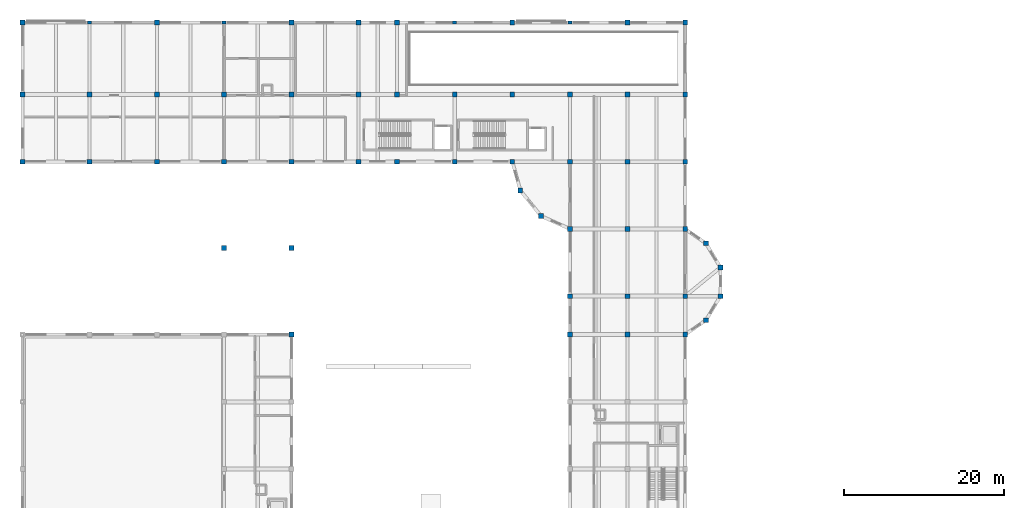
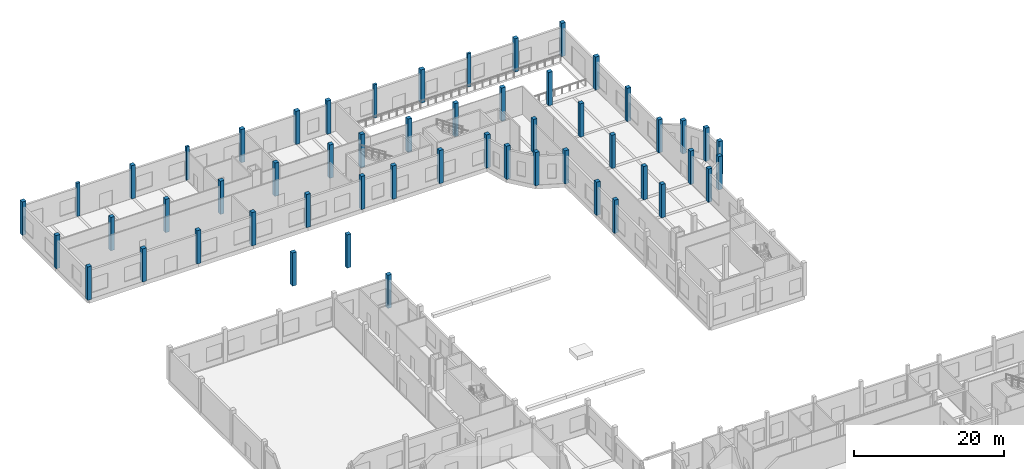
# One storey, part 6 of 41: 54 columns.
"""IFC4 building model written with IfcOpenShell, lengths in metres."""

from ifc_helpers import new_model, si_unit, direction, frame, origin, origin_2d, place, context, subcontext, project, spatial, rectangle, extrude, material, material_profile, profile_set, type_object, element, save


model = new_model("IFC4")

# Units and contexts
model_context = context("Model", 3, precision=1e-05, world=origin(), true_north=direction((0.0, 1.0)))
body_context = subcontext(model_context, "Body", "Model", "MODEL_VIEW")
ifc_project = project(units=[si_unit("LENGTHUNIT", "METRE"), si_unit("AREAUNIT", "SQUARE_METRE"), si_unit("VOLUMEUNIT", "CUBIC_METRE"), si_unit("PLANEANGLEUNIT", "RADIAN"), si_unit("MASSUNIT", "GRAM", prefix="KILO")], contexts=[model_context])

# Site, building, storey
site_placement = place(None, origin())
site = spatial("IfcSite", under=ifc_project, at=site_placement, CompositionType="ELEMENT")
building_placement = place(site_placement, origin())
building = spatial("IfcBuilding", under=site, at=building_placement, Name="Kahlenmark Community Centre", CompositionType="ELEMENT")
storey_placement = place(building_placement, origin())
storey = spatial("IfcBuildingStorey", under=building, at=storey_placement, Name="L00", CompositionType="ELEMENT", Elevation=0.0)

# Columns
ifc_material = material(Name="Concrete C35/45", Category="concrete")
ifc_material_profile_1 = material_profile(ifc_material, rectangle(XDim=0.5, YDim=0.35009765625, at=origin_2d()), Name="RC 500x350")
ifc_profile_set_1 = profile_set([ifc_material_profile_1], Name="Concrete C35/45")
column_type_1 = type_object("IfcColumnType", Name="CT-PIL500", PredefinedType="PILASTER", material=ifc_profile_set_1)
for number, where, z_axis, x_axis, name in (
    (1, (12.39990234375, 115.0, 0.0), (0.0, 0.0, 1.0), (1.0, 0.0, 0.0), "L00 pilaster (12.4, 115.0)"),
    (2, (29.199951171875, 115.0, 0.0), (0.0, 0.0, 1.0), (1.0, 0.0, 0.0), "L00 pilaster (29.2, 115.0)"),
    (3, (58.0, 115.0, 0.0), (0.0, 0.0, 1.0), (1.0, 0.0, 0.0), "L00 pilaster (58.0, 115.0)"),
    (4, (72.39990234375, 115.0, 0.0), (0.0, 0.0, 1.0), (1.0, 0.0, 0.0), "L00 pilaster (72.4, 115.0)"),
):
    element("IfcColumn", number, at=place(storey_placement, frame(where, z_axis=z_axis, x_axis=x_axis)), inside=storey, type_object=column_type_1, Name=name, PredefinedType="PILASTER", context=body_context, shape_type="SweptSolid", body=[
        extrude(rectangle(XDim=0.5, YDim=0.35009765625, at=origin_2d()), origin(), (0.0, 0.0, 1.0), 5.39990234375),
    ])
ifc_material_profile_2 = material_profile(ifc_material, rectangle(XDim=0.60009765625, YDim=0.60009765625, at=origin_2d()), Name="RC 600x600")
ifc_profile_set_2 = profile_set([ifc_material_profile_2], Name="Concrete C35/45")
column_type_2 = type_object("IfcColumnType", Name="CT-RC600", PredefinedType="COLUMN", material=ifc_profile_set_2)
for number, where, z_axis, x_axis, name in (
    (5, (4.0, 97.60009765625, 0.0), (0.0, 0.0, 1.0), (1.0, 0.0, 0.0), "L00 column (4.0, 97.6)"),
    (6, (4.0, 106.0, 0.0), (0.0, 0.0, 1.0), (1.0, 0.0, 0.0), "L00 column (4.0, 106.0)"),
    (7, (4.0, 115.0, 0.0), (0.0, 0.0, 1.0), (1.0, 0.0, 0.0), "L00 column (4.0, 115.0)"),
    (8, (12.39990234375, 97.60009765625, 0.0), (0.0, 0.0, 1.0), (1.0, 0.0, 0.0), "L00 column (12.4, 97.6)"),
    (9, (12.39990234375, 106.0, 0.0), (0.0, 0.0, 1.0), (1.0, 0.0, 0.0), "L00 column (12.4, 106.0)"),
    (10, (20.800048828125, 97.60009765625, 0.0), (0.0, 0.0, 1.0), (1.0, 0.0, 0.0), "L00 column (20.8, 97.6)"),
    (11, (20.800048828125, 106.0, 0.0), (0.0, 0.0, 1.0), (1.0, 0.0, 0.0), "L00 column (20.8, 106.0)"),
    (12, (20.800048828125, 115.0, 0.0), (0.0, 0.0, 1.0), (1.0, 0.0, 0.0), "L00 column (20.8, 115.0)"),
    (13, (29.199951171875, 86.800048828125, 0.0), (0.0, 0.0, 1.0), (1.0, 0.0, 0.0), "L00 column (29.2, 86.8)"),
    (14, (29.199951171875, 97.60009765625, 0.0), (0.0, 0.0, 1.0), (1.0, 0.0, 0.0), "L00 column (29.2, 97.6)"),
    (15, (29.199951171875, 106.0, 0.0), (0.0, 0.0, 1.0), (1.0, 0.0, 0.0), "L00 column (29.2, 106.0)"),
    (16, (37.60009765625, 76.0, 0.0), (0.0, 0.0, 1.0), (1.0, 0.0, 0.0), "L00 column (37.6, 76.0)"),
    (17, (37.60009765625, 86.800048828125, 0.0), (0.0, 0.0, 1.0), (1.0, 0.0, 0.0), "L00 column (37.6, 86.8)"),
    (18, (37.60009765625, 97.60009765625, 0.0), (0.0, 0.0, 1.0), (1.0, 0.0, 0.0), "L00 column (37.6, 97.6)"),
    (19, (37.60009765625, 106.0, 0.0), (0.0, 0.0, 1.0), (1.0, 0.0, 0.0), "L00 column (37.6, 106.0)"),
    (20, (37.60009765625, 115.0, 0.0), (0.0, 0.0, 1.0), (1.0, 0.0, 0.0), "L00 column (37.6, 115.0)"),
    (21, (46.0, 97.60009765625, 0.0), (0.0, 0.0, 1.0), (1.0, 0.0, 0.0), "L00 column (46.0, 97.6)"),
    (22, (46.0, 106.0, 0.0), (0.0, 0.0, 1.0), (1.0, 0.0, 0.0), "L00 column (46.0, 106.0)"),
    (23, (46.0, 115.0, 0.0), (0.0, 0.0, 1.0), (1.0, 0.0, 0.0), "L00 column (46.0, 115.0)"),
    (24, (50.800048828125, 97.60009765625, 0.0), (0.0, 0.0, 1.0), (1.0, 0.0, 0.0), "L00 column (50.8, 97.6)"),
    (25, (50.800048828125, 106.0, 0.0), (0.0, 0.0, 1.0), (1.0, 0.0, 0.0), "L00 column (50.8, 106.0)"),
    (26, (50.800048828125, 115.0, 0.0), (0.0, 0.0, 1.0), (1.0, 0.0, 0.0), "L00 column (50.8, 115.0)"),
    (27, (58.0, 97.60009765625, 0.0), (0.0, 0.0, 1.0), (1.0, 0.0, 0.0), "L00 column (58.0, 97.6)"),
    (28, (58.0, 106.0, 0.0), (0.0, 0.0, 1.0), (1.0, 0.0, 0.0), "L00 column (58.0, 106.0)"),
    (29, (65.199951171875, 97.60009765625, 0.0), (0.0, 0.0, 1.0), (1.0, 0.0, 0.0), "L00 column (65.2, 97.6)"),
    (30, (65.199951171875, 106.0, 0.0), (0.0, 0.0, 1.0), (1.0, 0.0, 0.0), "L00 column (65.2, 106.0)"),
    (31, (65.199951171875, 115.0, 0.0), (0.0, 0.0, 1.0), (1.0, 0.0, 0.0), "L00 column (65.2, 115.0)"),
    (32, (66.199951171875, 94.0, 0.0), (0.0, 0.0, 1.0), (1.0, 0.0, 0.0), "L00 column (66.2, 94.0)"),
    (33, (68.800048828125, 90.800048828125, 0.0), (0.0, 0.0, 1.0), (1.0, 0.0, 0.0), "L00 column (68.8, 90.8)"),
    (34, (72.39990234375, 76.0, 0.0), (0.0, 0.0, 1.0), (1.0, 0.0, 0.0), "L00 column (72.4, 76.0)"),
    (35, (72.39990234375, 80.800048828125, 0.0), (0.0, 0.0, 1.0), (1.0, 0.0, 0.0), "L00 column (72.4, 80.8)"),
    (36, (72.39990234375, 89.199951171875, 0.0), (0.0, 0.0, 1.0), (1.0, 0.0, 0.0), "L00 column (72.4, 89.2)"),
    (37, (72.39990234375, 97.60009765625, 0.0), (0.0, 0.0, 1.0), (1.0, 0.0, 0.0), "L00 column (72.4, 97.6)"),
    (38, (72.39990234375, 106.0, 0.0), (0.0, 0.0, 1.0), (1.0, 0.0, 0.0), "L00 column (72.4, 106.0)"),
    (39, (79.60009765625, 76.0, 0.0), (0.0, 0.0, 1.0), (1.0, 0.0, 0.0), "L00 column (79.6, 76.0)"),
    (40, (79.60009765625, 80.800048828125, 0.0), (0.0, 0.0, 1.0), (1.0, 0.0, 0.0), "L00 column (79.6, 80.8)"),
    (41, (79.60009765625, 89.199951171875, 0.0), (0.0, 0.0, 1.0), (1.0, 0.0, 0.0), "L00 column (79.6, 89.2)"),
    (42, (79.60009765625, 97.60009765625, 0.0), (0.0, 0.0, 1.0), (1.0, 0.0, 0.0), "L00 column (79.6, 97.6)"),
    (43, (79.60009765625, 106.0, 0.0), (0.0, 0.0, 1.0), (1.0, 0.0, 0.0), "L00 column (79.6, 106.0)"),
    (44, (79.60009765625, 115.0, 0.0), (0.0, 0.0, 1.0), (1.0, 0.0, 0.0), "L00 column (79.6, 115.0)"),
    (45, (86.800048828125, 76.0, 0.0), (0.0, 0.0, 1.0), (1.0, 0.0, 0.0), "L00 column (86.8, 76.0)"),
    (46, (86.800048828125, 80.800048828125, 0.0), (0.0, 0.0, 1.0), (1.0, 0.0, 0.0), "L00 column (86.8, 80.8)"),
    (47, (86.800048828125, 89.199951171875, 0.0), (0.0, 0.0, 1.0), (1.0, 0.0, 0.0), "L00 column (86.8, 89.2)"),
    (48, (86.800048828125, 97.60009765625, 0.0), (0.0, 0.0, 1.0), (1.0, 0.0, 0.0), "L00 column (86.8, 97.6)"),
    (49, (86.800048828125, 106.0, 0.0), (0.0, 0.0, 1.0), (1.0, 0.0, 0.0), "L00 column (86.8, 106.0)"),
    (50, (86.800048828125, 115.0, 0.0), (0.0, 0.0, 1.0), (1.0, 0.0, 0.0), "L00 column (86.8, 115.0)"),
    (51, (89.39990234375, 77.800048828125, 0.0), (0.0, 0.0, 1.0), (1.0, 0.0, 0.0), "L00 column (89.4, 77.8)"),
    (52, (89.39990234375, 87.39990234375, 0.0), (0.0, 0.0, 1.0), (1.0, 0.0, 0.0), "L00 column (89.4, 87.4)"),
    (53, (91.199951171875, 80.800048828125, 0.0), (0.0, 0.0, 1.0), (1.0, 0.0, 0.0), "L00 column (91.2, 80.8)"),
    (54, (91.199951171875, 84.39990234375, 0.0), (0.0, 0.0, 1.0), (1.0, 0.0, 0.0), "L00 column (91.2, 84.4)"),
):
    element("IfcColumn", number, at=place(storey_placement, frame(where, z_axis=z_axis, x_axis=x_axis)), inside=storey, type_object=column_type_2, Name=name, PredefinedType="COLUMN", context=body_context, shape_type="SweptSolid", body=[
        extrude(rectangle(XDim=0.60009765625, YDim=0.60009765625, at=origin_2d()), origin(), (0.0, 0.0, 1.0), 5.39990234375),
    ])

save(model, "model.ifc")
